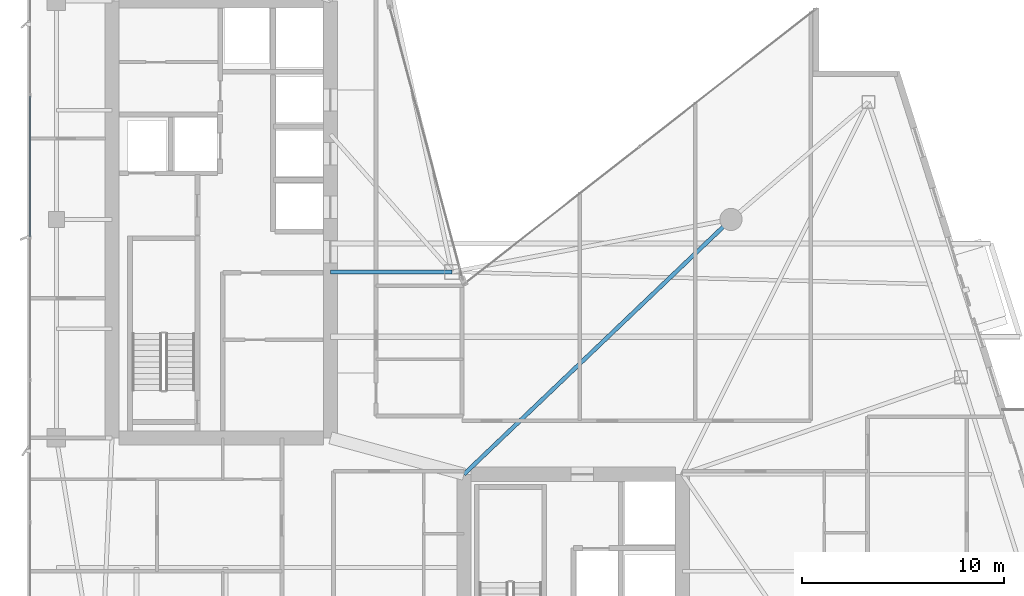
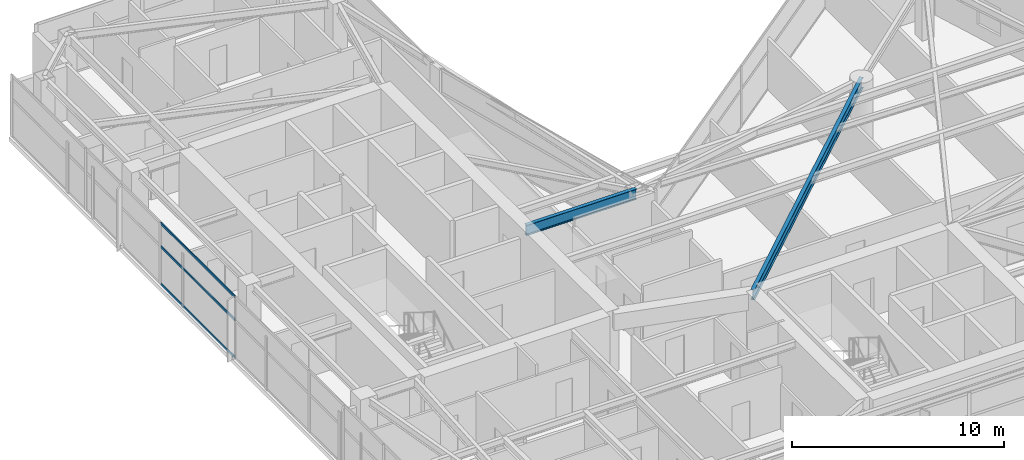
# One storey, part 9 of 30: 3 members, 2 beams, 1 element without a shape of its own.
"""IFC4 building model written with IfcOpenShell, lengths in metres."""

from ifc_helpers import new_model, si_unit, direction, frame, origin, origin_2d, place, context, subcontext, project, spatial, hollow_rectangle, i_section, extrude, material, layer, layer_set, material_profile, profile_set, type_object, element, aggregate, save


model = new_model("IFC4")

# Units and contexts
model_context = context("Model", 3, precision=1e-05, world=origin(), true_north=direction((0.0, 1.0)))
body_context = subcontext(model_context, "Body", "Model", "MODEL_VIEW")
ifc_project = project(units=[si_unit("LENGTHUNIT", "METRE"), si_unit("AREAUNIT", "SQUARE_METRE"), si_unit("VOLUMEUNIT", "CUBIC_METRE"), si_unit("PLANEANGLEUNIT", "RADIAN"), si_unit("MASSUNIT", "GRAM", prefix="KILO")], contexts=[model_context])

# Site, building, storey
site_placement = place(None, origin())
site = spatial("IfcSite", under=ifc_project, at=site_placement, CompositionType="ELEMENT")
building_placement = place(site_placement, origin())
building = spatial("IfcBuilding", under=site, at=building_placement, Name="Calvorn Quay Hotel", CompositionType="ELEMENT")
storey_placement = place(building_placement, frame((0.0, 0.0, 203.39990234375)))
storey = spatial("IfcBuildingStorey", under=building, at=storey_placement, Name="L50", CompositionType="ELEMENT", Elevation=203.39990234375)

# Beams
ifc_material_1 = material(Name="Steel Q355B", Category="steel")
ifc_material_profile_1 = material_profile(ifc_material_1, i_section(OverallWidth=0.199951171875, OverallDepth=0.60009765625, WebThickness=0.010986328125, FlangeThickness=0.01708984375, FilletRadius=0.01806640625, at=origin_2d()), Name="HN600x200x11x17")
ifc_profile_set_1 = profile_set([ifc_material_profile_1], Name="Steel Q355B")
beam_type = type_object("IfcBeamType", Name="BM-GIRD-TYP", PredefinedType="BEAM", material=ifc_profile_set_1)
beam_1_placement = place(storey_placement, frame((21.0, 25.0, 3.239990234375), z_axis=(-1.0, 0.0, 0.0), x_axis=(0.0, -1.0, 0.0)))
element("IfcBeam", 1, at=beam_1_placement, inside=storey, type_object=beam_type, Name="Beam BG-L50-W7", PredefinedType="BEAM", context=body_context, shape_type="SweptSolid", body=[
    extrude(i_section(OverallWidth=0.199951171875, OverallDepth=0.60009765625, WebThickness=0.010986328125, FlangeThickness=0.01708984375, FilletRadius=0.01806640625, at=origin_2d()), origin(), (0.0, 0.0, 1.0), 6.0),
])
beam_2_placement = place(storey_placement, frame((21.60009765625, 15.0, 3.239990234375), z_axis=(0.723351595578, 0.690479883252, 0.0), x_axis=(-0.690479883252, 0.723351595578, 0.0)))
element("IfcBeam", 2, at=beam_2_placement, inside=storey, type_object=beam_type, Name="Beam BG-L50-E4", PredefinedType="BEAM", context=body_context, shape_type="SweptSolid", body=[
    extrude(i_section(OverallWidth=0.199951171875, OverallDepth=0.60009765625, WebThickness=0.010986328125, FlangeThickness=0.01708984375, FilletRadius=0.01806640625, at=origin_2d()), origin(), (0.0, 0.0, 1.0), 18.248291015625),
])

# Curtain wall, members
ifc_material_2 = material(Name="Champagne Bronze Anodised Aluminium and Low-E Glass", Category="aluminium")
ifc_layer = layer(ifc_material_2, 0.219970703125)
ifc_layer_set = layer_set([ifc_layer], Name="CW-SYS-Z3")
curtain_wall_type = type_object("IfcCurtainWallType", Name="CW-SYS-Z3", PredefinedType="NOTDEFINED", material=ifc_layer_set)
curtain_wall_placement = place(storey_placement, origin())
curtain_wall = element("IfcCurtainWall", 3, at=curtain_wall_placement, inside=storey, type_object=curtain_wall_type, Name="Tower West Curtain Wall (L50)", PredefinedType="NOTDEFINED")
ifc_material_3 = material(Name="Champagne Bronze Anodised Aluminium 6063-T6", Category="aluminium")
ifc_material_profile_2 = material_profile(ifc_material_3, hollow_rectangle(XDim=0.05810546875, YDim=0.139892578125, WallThickness=0.003173828125, at=origin_2d()), Name="ALU-T140x58x3.2")
ifc_profile_set_2 = profile_set([ifc_material_profile_2], Name="Champagne Bronze Anodised Aluminium 6063-T6")
member_type = type_object("IfcMemberType", Name="CW-SYS-Z3-TRN", PredefinedType="USERDEFINED", material=ifc_profile_set_2)
member_1_placement = place(storey_placement, frame((0.14990234375, 26.72998046875, 0.030029296875), z_axis=(0.0, 1.0, 0.0), x_axis=(-1.0, 0.0, 0.0)))
member_1 = element("IfcMember", 4, at=member_1_placement, type_object=member_type, Name="CW-L50-W transom 4.1", ObjectType="TRANSOM", PredefinedType="USERDEFINED", context=body_context, shape_type="SweptSolid", body=[
    extrude(hollow_rectangle(XDim=0.05810546875, YDim=0.139892578125, WallThickness=0.003173828125, at=origin_2d()), origin(), (0.0, 0.0, 1.0), 6.973388671875),
])
member_2_placement = place(storey_placement, frame((0.14990234375, 26.72998046875, 2.2001953125), z_axis=(0.0, 1.0, 0.0), x_axis=(-1.0, 0.0, 0.0)))
member_2 = element("IfcMember", 5, at=member_2_placement, type_object=member_type, Name="CW-L50-W transom 4.2", ObjectType="TRANSOM", PredefinedType="USERDEFINED", context=body_context, shape_type="SweptSolid", body=[
    extrude(hollow_rectangle(XDim=0.05810546875, YDim=0.139892578125, WallThickness=0.003173828125, at=origin_2d()), origin(), (0.0, 0.0, 1.0), 6.973388671875),
])
member_3_placement = place(storey_placement, frame((0.14990234375, 26.72998046875, 3.530029296875), z_axis=(0.0, 1.0, 0.0), x_axis=(-1.0, 0.0, 0.0)))
member_3 = element("IfcMember", 6, at=member_3_placement, type_object=member_type, Name="CW-L50-W transom 4.3", ObjectType="TRANSOM", PredefinedType="USERDEFINED", context=body_context, shape_type="SweptSolid", body=[
    extrude(hollow_rectangle(XDim=0.05810546875, YDim=0.139892578125, WallThickness=0.003173828125, at=origin_2d()), origin(), (0.0, 0.0, 1.0), 6.973388671875),
])
aggregate(curtain_wall, [member_1, member_2, member_3])

save(model, "model.ifc")
